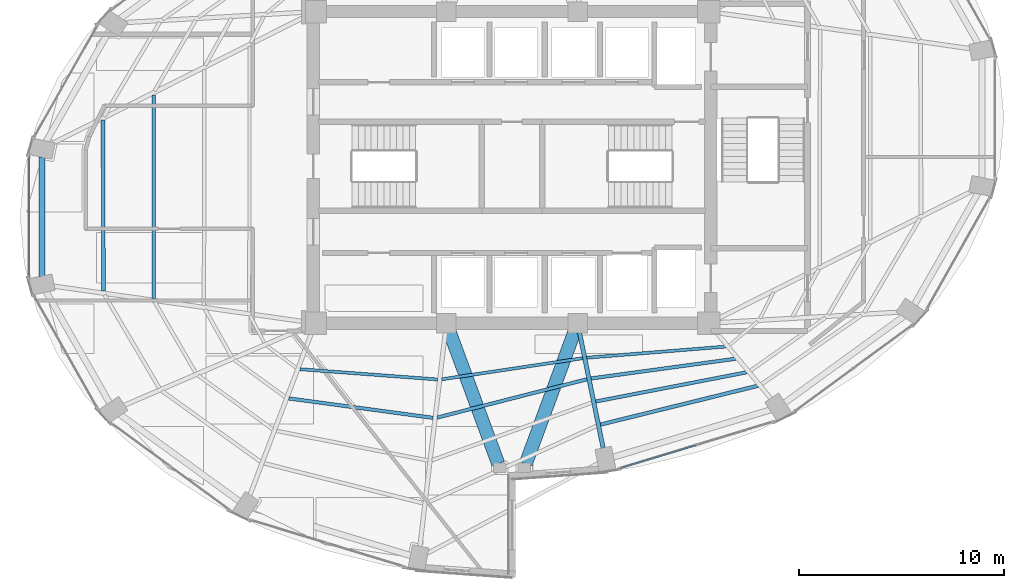
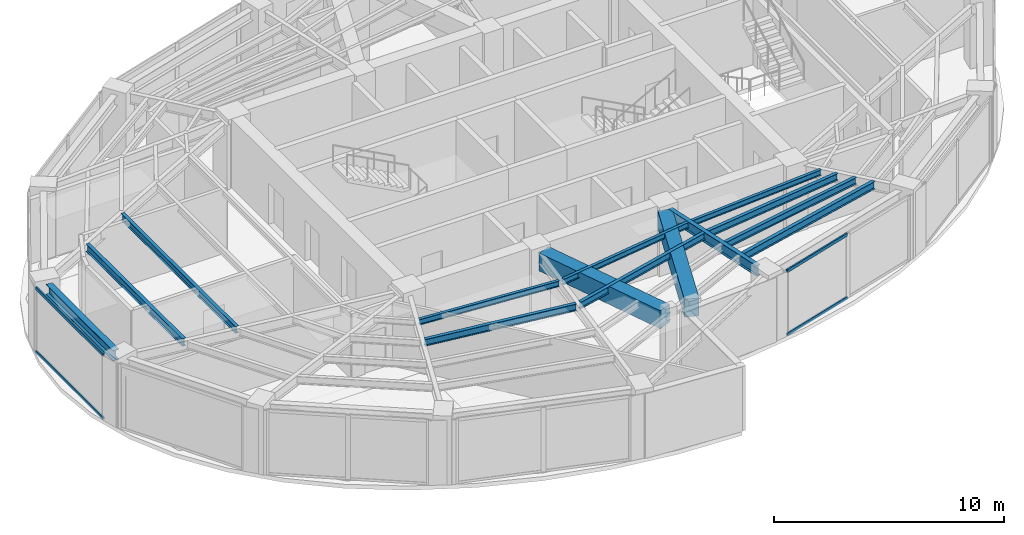
# One storey, part 5 of 20: 14 beams, 4 members, 2 elements without a shape of their own.
"""IFC4 building model written with IfcOpenShell, lengths in metres."""

import ifcopenshell
import ifcopenshell.guid

model = None  # the IFC model being written
_history = None  # IfcOwnerHistory: only IFC2X3 demands one
_inside = {}  # id of a spatial element -> (the spatial element, [elements in it])
_under = {}  # id of a project, library or spatial element -> (it, [spatial elements below it])
_declared = {}  # id of a project -> (the project, [libraries it declares])
_typed = {}  # id of a type object -> (the type object, [elements of that type])
_made_of = {}  # id of a material, layer set ... -> (it, [elements and type objects made of it])


def new_model(schema):
    """Start an empty IFC model of exactly this schema.

    Asked for "IFC4X3", IfcOpenShell would pick the latest addendum, in which some entities
    have other attributes; the version numbers below select the first issue.
    IFC2X3 requires an IfcOwnerHistory on every rooted entity: one is made here for all.
    """
    global model, _history
    if schema == "IFC4X3":
        model = ifcopenshell.file(schema_version=(4, 3, 0, 0))
    else:
        model = ifcopenshell.file(schema=schema)
    _inside.clear()
    _under.clear()
    _declared.clear()
    _typed.clear()
    _made_of.clear()
    _history = None
    if model.schema == "IFC2X3":
        org = make("IfcOrganization", Name="unknown")
        user = make(
            "IfcPersonAndOrganization",
            ThePerson=make("IfcPerson", FamilyName="unknown"),
            TheOrganization=org,
        )
        app = make(
            "IfcApplication",
            ApplicationDeveloper=org,
            Version="unknown",
            ApplicationFullName="unknown",
            ApplicationIdentifier="unknown",
        )
        _history = make(
            "IfcOwnerHistory",
            OwningUser=user,
            OwningApplication=app,
            ChangeAction="ADDED",
            CreationDate=0,
        )
    return model


def make(cls, **values):
    """One entity of the class cls with the attributes given. An attribute that is None is left unset."""
    return model.create_entity(
        cls, **{name: value for name, value in values.items() if value is not None}
    )


def rooted(cls, **values):
    """An entity with a GlobalId (a new one), such as an element, a storey or a relation."""
    return make(cls, GlobalId=ifcopenshell.guid.new(), OwnerHistory=_history, **values)


def si_unit(unit_type, name, prefix=None):
    """IfcSIUnit, for example si_unit("LENGTHUNIT", "METRE", prefix="MILLI")."""
    return make("IfcSIUnit", UnitType=unit_type, Prefix=prefix, Name=name)


def assignment(units):
    """IfcUnitAssignment: the units of a project."""
    return None if units is None else make("IfcUnitAssignment", Units=units)


def point(xyz):
    """IfcCartesianPoint."""
    return None if xyz is None else make("IfcCartesianPoint", Coordinates=xyz)


def direction(xyz):
    """IfcDirection."""
    return None if xyz is None else make("IfcDirection", DirectionRatios=xyz)


def frame(location, z_axis=None, x_axis=None):
    """IfcAxis2Placement3D, a coordinate frame: its origin and axes. An axis left out is left unset."""
    return make(
        "IfcAxis2Placement3D",
        Location=point(location),
        Axis=direction(z_axis),
        RefDirection=direction(x_axis),
    )


def frame_2d(location, x_axis=None):
    """IfcAxis2Placement2D, a coordinate frame in the plane: its origin and x axis."""
    return make(
        "IfcAxis2Placement2D", Location=point(location), RefDirection=direction(x_axis)
    )


def origin():
    """The frame at (0, 0, 0) with its axes left unset."""
    return frame((0.0, 0.0, 0.0))


def origin_2d():
    """The frame at (0, 0) in the plane with its x axis left unset."""
    return frame_2d((0.0, 0.0))


def place(relative_to, where):
    """IfcLocalPlacement: puts the frame where relative to a parent placement (None: the world)."""
    return make(
        "IfcLocalPlacement", PlacementRelTo=relative_to, RelativePlacement=where
    )


def context(
    kind, dimensions, precision=None, world=None, true_north=None, identifier=None
):
    """IfcGeometricRepresentationContext, for example the 3D "Model" context."""
    return make(
        "IfcGeometricRepresentationContext",
        ContextIdentifier=identifier,
        ContextType=kind,
        CoordinateSpaceDimension=dimensions,
        Precision=precision,
        WorldCoordinateSystem=world,
        TrueNorth=true_north,
    )


def subcontext(parent, identifier, kind, view, scale=None):
    """IfcGeometricRepresentationSubContext, for example "Body" below "Model"."""
    return make(
        "IfcGeometricRepresentationSubContext",
        ContextIdentifier=identifier,
        ContextType=kind,
        ParentContext=parent,
        TargetScale=scale,
        TargetView=view,
    )


def project(units=None, contexts=None):
    """IfcProject with its units and contexts."""
    return rooted(
        "IfcProject",
        Name="project",
        RepresentationContexts=contexts,
        UnitsInContext=assignment(units),
    )


def spatial(cls, under=None, at=None, **own):
    """A site, building, storey or space (cls), placed at a placement, below another one or the project."""
    s = rooted(cls, ObjectPlacement=at, **own)
    if under is not None:
        _under.setdefault(under.id(), (under, []))[1].append(s)
    return s


def profile(cls, at=None, kind="AREA", **sizes):
    """A parametric profile (cls). Its sizes go by their IFC names, for example OverallWidth=200.0."""
    return make(cls, ProfileType=kind, Position=at, **sizes)


def rectangle(**sizes):
    """IfcRectangleProfileDef."""
    return profile("IfcRectangleProfileDef", **sizes)


def hollow_rectangle(**sizes):
    """IfcRectangleHollowProfileDef."""
    return profile("IfcRectangleHollowProfileDef", **sizes)


def i_section(**sizes):
    """IfcIShapeProfileDef."""
    return profile("IfcIShapeProfileDef", **sizes)


def extrude(swept, where, along, depth):
    """IfcExtrudedAreaSolid: the profile swept, set in the frame where, extruded along a direction by depth."""
    return make(
        "IfcExtrudedAreaSolid",
        SweptArea=swept,
        Position=where,
        ExtrudedDirection=direction(along),
        Depth=depth,
    )


def shape(context_of_items, identifier, shape_type, items):
    """IfcShapeRepresentation: the items that make up one representation, for example the "Body"."""
    return make(
        "IfcShapeRepresentation",
        ContextOfItems=context_of_items,
        RepresentationIdentifier=identifier,
        RepresentationType=shape_type,
        Items=items,
    )


def material(Name=None, Category=None):
    """IfcMaterial."""
    return make("IfcMaterial", Name=Name, Category=Category)


def layer(
    of_material, thickness, ventilated=None, Name=None, Category=None, Priority=None
):
    """IfcMaterialLayer: one layer of a wall or slab, of a material (None: an air gap)."""
    return make(
        "IfcMaterialLayer",
        Material=of_material,
        LayerThickness=thickness,
        IsVentilated=ventilated,
        Name=Name,
        Category=Category,
        Priority=Priority,
    )


def layer_set(layers, Name=None):
    """IfcMaterialLayerSet."""
    return make("IfcMaterialLayerSet", MaterialLayers=layers, LayerSetName=Name)


def material_profile(
    of_material, cross_section, Name=None, Category=None, Priority=None
):
    """IfcMaterialProfile: a cross section and its material."""
    return make(
        "IfcMaterialProfile",
        Name=Name,
        Material=of_material,
        Profile=cross_section,
        Priority=Priority,
        Category=Category,
    )


def profile_set(profiles, Name=None, composite=None):
    """IfcMaterialProfileSet."""
    return make(
        "IfcMaterialProfileSet",
        Name=Name,
        MaterialProfiles=profiles,
        CompositeProfile=composite,
    )


def made_of(thing, what):
    """Note that an element or type object is made of a material, layer set ...; save() writes the relation."""
    if what is not None:
        _made_of.setdefault(what.id(), (what, []))[1].append(thing)
    return thing


def type_object(cls, material=None, **own):
    """A type object (cls), such as IfcWallType, which elements share."""
    return made_of(rooted(cls, **own), material)


def element(
    cls,
    number,
    at=None,
    inside=None,
    cuts=None,
    type_object=None,
    material=None,
    context=None,
    identifier="Body",
    shape_type=None,
    held_by="IfcProductDefinitionShape",
    body=None,
    shapes=None,
    **own,
):
    """One element of the class cls, such as IfcWall. Its Tag is "e" and its number.

    at: its placement. inside: the storey or other place that contains it. cuts: it is an
    opening in that element (IfcRelVoidsElement). A single representation is given by context,
    identifier, shape_type and body (its items); several are given by shapes. held_by: the class
    of the entity that holds the representations. save() writes the other relations.
    """
    e = rooted(cls, Tag="e%d" % number, ObjectPlacement=at, **own)
    if body is not None:
        shapes = [shape(context, identifier, shape_type, body)]
    if shapes is not None:
        e.Representation = make(held_by, Representations=shapes)
    if inside is not None:
        _inside.setdefault(inside.id(), (inside, []))[1].append(e)
    if cuts is not None:
        rooted(
            "IfcRelVoidsElement", RelatingBuildingElement=cuts, RelatedOpeningElement=e
        )
    if type_object is not None:
        _typed.setdefault(type_object.id(), (type_object, []))[1].append(e)
    return made_of(e, material)


def aggregate(whole, parts):
    """IfcRelAggregates: a whole, such as a stair, and the parts it consists of."""
    return rooted("IfcRelAggregates", RelatingObject=whole, RelatedObjects=parts)


def save(model, path):
    """Write the relations noted so far, then the file.

    IfcRelAggregates (storeys below a building ...), IfcRelContainedInSpatialStructure (elements
    in a storey), IfcRelDefinesByType, IfcRelAssociatesMaterial and IfcRelDeclares: one each for
    every whole, place, type object, material and project.
    """
    for whole, parts in _under.values():
        aggregate(whole, parts)
    for where, things in _inside.values():
        rooted(
            "IfcRelContainedInSpatialStructure",
            RelatedElements=things,
            RelatingStructure=where,
        )
    for kind, things in _typed.values():
        rooted("IfcRelDefinesByType", RelatedObjects=things, RelatingType=kind)
    for what, things in _made_of.values():
        rooted("IfcRelAssociatesMaterial", RelatedObjects=things, RelatingMaterial=what)
    for by, libraries in _declared.values():
        rooted("IfcRelDeclares", RelatingContext=by, RelatedDefinitions=libraries)
    model.write(path)


model = new_model("IFC4")

# Units and contexts
model_context = context("Model", 3, precision=1e-05, world=origin(), true_north=direction((0.0, 1.0)))
body_context = subcontext(model_context, "Body", "Model", "MODEL_VIEW")
ifc_project = project(units=[si_unit("LENGTHUNIT", "METRE"), si_unit("AREAUNIT", "SQUARE_METRE"), si_unit("VOLUMEUNIT", "CUBIC_METRE"), si_unit("PLANEANGLEUNIT", "RADIAN"), si_unit("MASSUNIT", "GRAM", prefix="KILO")], contexts=[model_context])

# Site, building, storey
site_placement = place(None, origin())
site = spatial("IfcSite", under=ifc_project, at=site_placement, CompositionType="ELEMENT")
building_placement = place(site_placement, origin())
building = spatial("IfcBuilding", under=site, at=building_placement, Name="Lazwardi Medical Tower", CompositionType="ELEMENT")
storey_placement = place(building_placement, frame((0.0, 0.0, 149.23193359375)))
storey = spatial("IfcBuildingStorey", under=building, at=storey_placement, Name="L38", CompositionType="ELEMENT", Elevation=149.23193359375)

# Beams
ifc_material_1 = material(Name="Concrete C60/75", Category="concrete")
ifc_material_profile_1 = material_profile(ifc_material_1, rectangle(XDim=0.64990234375, YDim=0.949951171875, at=origin_2d()), Name="RC 650x950")
ifc_profile_set_1 = profile_set([ifc_material_profile_1], Name="Concrete C60/75")
beam_type_1 = type_object("IfcBeamType", Name="BM-CB-RC2", PredefinedType="LINTEL", material=ifc_profile_set_1)
for number, where, z_axis, x_axis, name in (
    (1, (32.959228515625, 19.968505859375, 2.953125), (0.34601281054, -0.938229787921, 0.0), (0.938229787921, 0.34601281054, 0.0), "Core coupling lintel CB-02 PL3 L38"),
    (2, (39.040771484375, 19.968505859375, 2.953125), (-0.34601281054, -0.938229787921, 0.0), (0.938229787921, -0.34601281054, 0.0), "Core coupling lintel CB-02 PL4 L38"),
):
    element("IfcBeam", number, at=place(storey_placement, frame(where, z_axis=z_axis, x_axis=x_axis)), inside=storey, type_object=beam_type_1, Name=name, PredefinedType="LINTEL", context=body_context, shape_type="SweptSolid", body=[
        extrude(rectangle(XDim=0.64990234375, YDim=0.949951171875, at=origin_2d()), origin(), (0.0, 0.0, 1.0), 6.84423828125),
    ])
ifc_material_2 = material(Name="Steel S355", Category="steel")
ifc_material_profile_2 = material_profile(ifc_material_2, i_section(OverallWidth=0.300048828125, OverallDepth=0.550048828125, WebThickness=0.014892578125, FlangeThickness=0.029052734375, at=origin_2d()), Name="HEB 550")
ifc_profile_set_2 = profile_set([ifc_material_profile_2], Name="Steel S355")
beam_type_2 = type_object("IfcBeamType", Name="BM-RB-Z3", PredefinedType="BEAM", material=ifc_profile_set_2)
beam_1_placement = place(storey_placement, frame((13.07421875, 28.51171875, 3.153076171875), z_axis=(0.0, -1.0, 0.0), x_axis=(1.0, 0.0, 0.0)))
element("IfcBeam", 3, at=beam_1_placement, inside=storey, type_object=beam_type_2, Name="Ring beam RB-04 B12 L38", PredefinedType="BEAM", context=body_context, shape_type="SweptSolid", body=[
    extrude(i_section(OverallWidth=0.300048828125, OverallDepth=0.550048828125, WebThickness=0.014892578125, FlangeThickness=0.029052734375, at=origin_2d()), origin(), (0.0, 0.0, 1.0), 5.823486328125),
])
ifc_material_profile_3 = material_profile(ifc_material_2, i_section(OverallWidth=0.2099609375, OverallDepth=0.550048828125, WebThickness=0.010986328125, FlangeThickness=0.01708984375, at=origin_2d()), Name="IPE 550")
ifc_profile_set_3 = profile_set([ifc_material_profile_3], Name="Steel S355")
beam_type_3 = type_object("IfcBeamType", Name="BM-RG-W2", PredefinedType="BEAM", material=ifc_profile_set_3)
beam_2_placement = place(storey_placement, frame((40.447998046875, 14.2998046875, 3.153076171875), z_axis=(-0.200429485343, 0.979708130723, 0.0), x_axis=(-0.979708130723, -0.200429485343, 0.0)))
element("IfcBeam", 4, at=beam_2_placement, inside=storey, type_object=beam_type_3, Name="Radial girder RG-03 R01 L38", PredefinedType="BEAM", context=body_context, shape_type="SweptSolid", body=[
    extrude(i_section(OverallWidth=0.2099609375, OverallDepth=0.550048828125, WebThickness=0.010986328125, FlangeThickness=0.01708984375, at=origin_2d()), origin(), (0.0, 0.0, 1.0), 5.766357421875),
])
ifc_material_profile_4 = material_profile(ifc_material_2, i_section(OverallWidth=0.179931640625, OverallDepth=0.39990234375, WebThickness=0.008544921875, FlangeThickness=0.013427734375, at=origin_2d()), Name="IPE 400")
ifc_profile_set_4 = profile_set([ifc_material_profile_4], Name="Steel S355")
beam_type_4 = type_object("IfcBeamType", Name="BM-SJ-01", PredefinedType="JOIST", material=ifc_profile_set_4)
beam_3_placement = place(storey_placement, frame((40.31396484375, 15.45361328125, 3.22802734375), z_axis=(0.970912648168, 0.239433977597, 0.0), x_axis=(-0.239433977597, 0.970912648168, 0.0)))
element("IfcBeam", 5, at=beam_3_placement, inside=storey, type_object=beam_type_4, Name="Secondary joist SJ-01 R1 B01 L38", PredefinedType="JOIST", context=body_context, shape_type="SweptSolid", body=[
    extrude(i_section(OverallWidth=0.179931640625, OverallDepth=0.39990234375, WebThickness=0.008544921875, FlangeThickness=0.013427734375, at=origin_2d()), origin(), (0.0, 0.0, 1.0), 7.91162109375),
])
beam_4_placement = place(storey_placement, frame((16.04443359375, 30.30224609375, 3.22802734375), z_axis=(0.003864366017, -0.99999253331, 0.0), x_axis=(0.99999253331, 0.003864366017, 0.0)))
element("IfcBeam", 6, at=beam_4_placement, inside=storey, type_object=beam_type_4, Name="Secondary joist SJ-01 R1 B12 L38", PredefinedType="JOIST", context=body_context, shape_type="SweptSolid", body=[
    extrude(i_section(OverallWidth=0.179931640625, OverallDepth=0.39990234375, WebThickness=0.008544921875, FlangeThickness=0.013427734375, at=origin_2d()), origin(), (0.0, 0.0, 1.0), 8.33935546875),
])
ifc_material_profile_5 = material_profile(ifc_material_2, i_section(OverallWidth=0.169921875, OverallDepth=0.360107421875, WebThickness=0.008056640625, FlangeThickness=0.0126953125, at=origin_2d()), Name="IPE 360")
ifc_profile_set_5 = profile_set([ifc_material_profile_5], Name="Steel S355")
beam_type_5 = type_object("IfcBeamType", Name="BM-SJ-02", PredefinedType="JOIST", material=ifc_profile_set_5)
beam_5_placement = place(storey_placement, frame((40.083984375, 16.57861328125, 3.248046875), z_axis=(0.981753035865, 0.190160396953, 0.0), x_axis=(-0.190160396953, 0.981753035865, 0.0)))
element("IfcBeam", 7, at=beam_5_placement, inside=storey, type_object=beam_type_5, Name="Secondary joist SJ-02 R2 B01 L38", PredefinedType="JOIST", context=body_context, shape_type="SweptSolid", body=[
    extrude(i_section(OverallWidth=0.169921875, OverallDepth=0.360107421875, WebThickness=0.008056640625, FlangeThickness=0.0126953125, at=origin_2d()), origin(), (0.0, 0.0, 1.0), 7.50927734375),
])
beam_6_placement = place(storey_placement, frame((18.513671875, 31.541748046875, 3.248046875), z_axis=(0.001156040156, -0.999999331785, 0.0), x_axis=(0.999999331785, 0.001156040156, 0.0)))
element("IfcBeam", 8, at=beam_6_placement, inside=storey, type_object=beam_type_5, Name="Secondary joist SJ-02 R2 B12 L38", PredefinedType="JOIST", context=body_context, shape_type="SweptSolid", body=[
    extrude(i_section(OverallWidth=0.169921875, OverallDepth=0.360107421875, WebThickness=0.008056640625, FlangeThickness=0.0126953125, at=origin_2d()), origin(), (0.0, 0.0, 1.0), 9.92578125),
])
beam_7_placement = place(storey_placement, frame((39.853515625, 17.702880859375, 3.248046875), z_axis=(0.990832043476, 0.135099450852, 0.0), x_axis=(-0.135099450852, 0.990832043476, 0.0)))
element("IfcBeam", 9, at=beam_7_placement, inside=storey, type_object=beam_type_5, Name="Secondary joist SJ-02 R3 B01 L38", PredefinedType="JOIST", context=body_context, shape_type="SweptSolid", body=[
    extrude(i_section(OverallWidth=0.169921875, OverallDepth=0.360107421875, WebThickness=0.008056640625, FlangeThickness=0.0126953125, at=origin_2d()), origin(), (0.0, 0.0, 1.0), 7.129150390625),
])
beam_8_placement = place(storey_placement, frame((25.110107421875, 16.730224609375, 3.248046875), z_axis=(0.991056291961, -0.133444468468, 0.0), x_axis=(0.133444468468, 0.991056291961, 0.0)))
element("IfcBeam", 10, at=beam_8_placement, inside=storey, type_object=beam_type_5, Name="Secondary joist SJ-02 R3 B15 L38", PredefinedType="JOIST", context=body_context, shape_type="SweptSolid", body=[
    extrude(i_section(OverallWidth=0.169921875, OverallDepth=0.360107421875, WebThickness=0.008056640625, FlangeThickness=0.0126953125, at=origin_2d()), origin(), (0.0, 0.0, 1.0), 7.10400390625),
])
beam_9_placement = place(storey_placement, frame((32.3466796875, 15.793701171875, 3.248046875), z_axis=(0.96877632572, 0.247936344097, 0.0), x_axis=(-0.247936344097, 0.96877632572, 0.0)))
element("IfcBeam", 11, at=beam_9_placement, inside=storey, type_object=beam_type_5, Name="Secondary joist SJ-02 R3 B16 L38", PredefinedType="JOIST", context=body_context, shape_type="SweptSolid", body=[
    extrude(i_section(OverallWidth=0.169921875, OverallDepth=0.360107421875, WebThickness=0.008056640625, FlangeThickness=0.0126953125, at=origin_2d()), origin(), (0.0, 0.0, 1.0), 7.546630859375),
])
ifc_material_profile_6 = material_profile(ifc_material_2, i_section(OverallWidth=0.14990234375, OverallDepth=0.300048828125, WebThickness=0.007080078125, FlangeThickness=0.0107421875, at=origin_2d()), Name="IPE 300")
ifc_profile_set_6 = profile_set([ifc_material_profile_6], Name="Steel S355")
beam_type_6 = type_object("IfcBeamType", Name="BM-SJ-03", PredefinedType="JOIST", material=ifc_profile_set_6)
beam_10_placement = place(storey_placement, frame((39.646240234375, 18.71435546875, 3.278076171875), z_axis=(0.996785792338, 0.08011294647, 0.0), x_axis=(-0.08011294647, 0.996785792338, 0.0)))
element("IfcBeam", 12, at=beam_10_placement, inside=storey, type_object=beam_type_6, Name="Secondary joist SJ-03 R4 B01 L38", PredefinedType="JOIST", context=body_context, shape_type="SweptSolid", body=[
    extrude(i_section(OverallWidth=0.14990234375, OverallDepth=0.300048828125, WebThickness=0.007080078125, FlangeThickness=0.0107421875, at=origin_2d()), origin(), (0.0, 0.0, 1.0), 6.80810546875),
])
beam_11_placement = place(storey_placement, frame((25.650390625, 18.156494140625, 3.278076171875), z_axis=(0.99722699261, -0.074419924822, 0.0), x_axis=(0.074419924822, 0.99722699261, 0.0)))
element("IfcBeam", 13, at=beam_11_placement, inside=storey, type_object=beam_type_6, Name="Secondary joist SJ-03 R4 B15 L38", PredefinedType="JOIST", context=body_context, shape_type="SweptSolid", body=[
    extrude(i_section(OverallWidth=0.14990234375, OverallDepth=0.300048828125, WebThickness=0.007080078125, FlangeThickness=0.0107421875, at=origin_2d()), origin(), (0.0, 0.0, 1.0), 6.74169921875),
])
beam_12_placement = place(storey_placement, frame((32.57177734375, 17.662109375, 3.278076171875), z_axis=(0.98897469849, 0.148084589835, 0.0), x_axis=(-0.148084589835, 0.98897469849, 0.0)))
element("IfcBeam", 14, at=beam_12_placement, inside=storey, type_object=beam_type_6, Name="Secondary joist SJ-03 R4 B16 L38", PredefinedType="JOIST", context=body_context, shape_type="SweptSolid", body=[
    extrude(i_section(OverallWidth=0.14990234375, OverallDepth=0.300048828125, WebThickness=0.007080078125, FlangeThickness=0.0107421875, at=origin_2d()), origin(), (0.0, 0.0, 1.0), 6.952392578125),
])

# Curtain wall, members
ifc_material_3 = material(Name="Anodised bronze aluminium and solar control glazing", Category="aluminium")
ifc_layer = layer(ifc_material_3, 0.195068359375)
ifc_layer_set = layer_set([ifc_layer], Name="Anodised bronze aluminium and solar control glazing")
curtain_wall_type = type_object("IfcCurtainWallType", Name="CW-SYS-03", PredefinedType="NOTDEFINED", material=ifc_layer_set)
curtain_wall_1_placement = place(storey_placement, origin())
curtain_wall_1 = element("IfcCurtainWall", 15, at=curtain_wall_1_placement, inside=storey, type_object=curtain_wall_type, Name="L38 Unitised bronze curtain wall CW-03", PredefinedType="NOTDEFINED")
ifc_material_4 = material(Name="Anodised bronze aluminium", Category="aluminium")
ifc_material_profile_7 = material_profile(ifc_material_4, hollow_rectangle(XDim=0.074951171875, YDim=0.159912109375, WallThickness=0.00390625, at=origin_2d()), Name="ALU-TRANSOM 160x75x4")
ifc_profile_set_7 = profile_set([ifc_material_profile_7], Name="Anodised bronze aluminium")
member_type = type_object("IfcMemberType", Name="CW-TRN-01", PredefinedType="USERDEFINED", material=ifc_profile_set_7)
member_1_placement = place(storey_placement, frame((41.307861328125, 13.336669921875, 0.03759765625), z_axis=(0.956935517424, 0.290300560612, 0.0), x_axis=(-0.290300560612, 0.956935517424, 0.0)))
member_1 = element("IfcMember", 16, at=member_1_placement, type_object=member_type, Name="CW-03 transom 1.1", ObjectType="TRANSOM", PredefinedType="USERDEFINED", context=body_context, shape_type="SweptSolid", body=[
    extrude(hollow_rectangle(XDim=0.074951171875, YDim=0.159912109375, WallThickness=0.00390625, at=origin_2d()), origin(), (0.0, 0.0, 1.0), 3.836669921875),
])
member_2_placement = place(storey_placement, frame((41.307861328125, 13.336669921875, 3.390625), z_axis=(0.956935517424, 0.290300560612, 0.0), x_axis=(-0.290300560612, 0.956935517424, 0.0)))
member_2 = element("IfcMember", 17, at=member_2_placement, type_object=member_type, Name="CW-03 transom 1.2", ObjectType="TRANSOM", PredefinedType="USERDEFINED", context=body_context, shape_type="SweptSolid", body=[
    extrude(hollow_rectangle(XDim=0.074951171875, YDim=0.159912109375, WallThickness=0.00390625, at=origin_2d()), origin(), (0.0, 0.0, 1.0), 3.836669921875),
])
aggregate(curtain_wall_1, [member_1, member_2])

curtain_wall_2_placement = place(storey_placement, origin())
curtain_wall_2 = element("IfcCurtainWall", 18, at=curtain_wall_2_placement, inside=storey, type_object=curtain_wall_type, Name="L38 Unitised bronze curtain wall CW-03", PredefinedType="NOTDEFINED")
member_3_placement = place(storey_placement, frame((12.4423828125, 28.5205078125, 0.03759765625), z_axis=(0.0, -1.0, 0.0), x_axis=(1.0, 0.0, 0.0)))
member_3 = element("IfcMember", 19, at=member_3_placement, type_object=member_type, Name="CW-03 transom 1.1", ObjectType="TRANSOM", PredefinedType="USERDEFINED", context=body_context, shape_type="SweptSolid", body=[
    extrude(hollow_rectangle(XDim=0.074951171875, YDim=0.159912109375, WallThickness=0.00390625, at=origin_2d()), origin(), (0.0, 0.0, 1.0), 5.8408203125),
])
member_4_placement = place(storey_placement, frame((12.4423828125, 28.5205078125, 3.390625), z_axis=(0.0, -1.0, 0.0), x_axis=(1.0, 0.0, 0.0)))
member_4 = element("IfcMember", 20, at=member_4_placement, type_object=member_type, Name="CW-03 transom 1.2", ObjectType="TRANSOM", PredefinedType="USERDEFINED", context=body_context, shape_type="SweptSolid", body=[
    extrude(hollow_rectangle(XDim=0.074951171875, YDim=0.159912109375, WallThickness=0.00390625, at=origin_2d()), origin(), (0.0, 0.0, 1.0), 5.8408203125),
])
aggregate(curtain_wall_2, [member_3, member_4])

save(model, "model.ifc")
